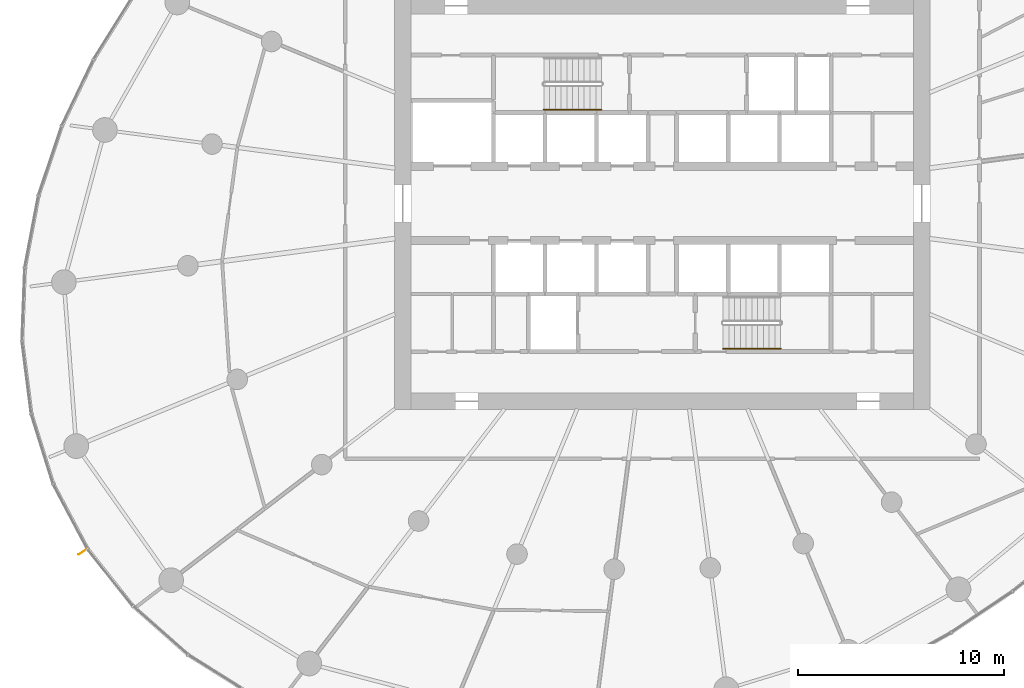
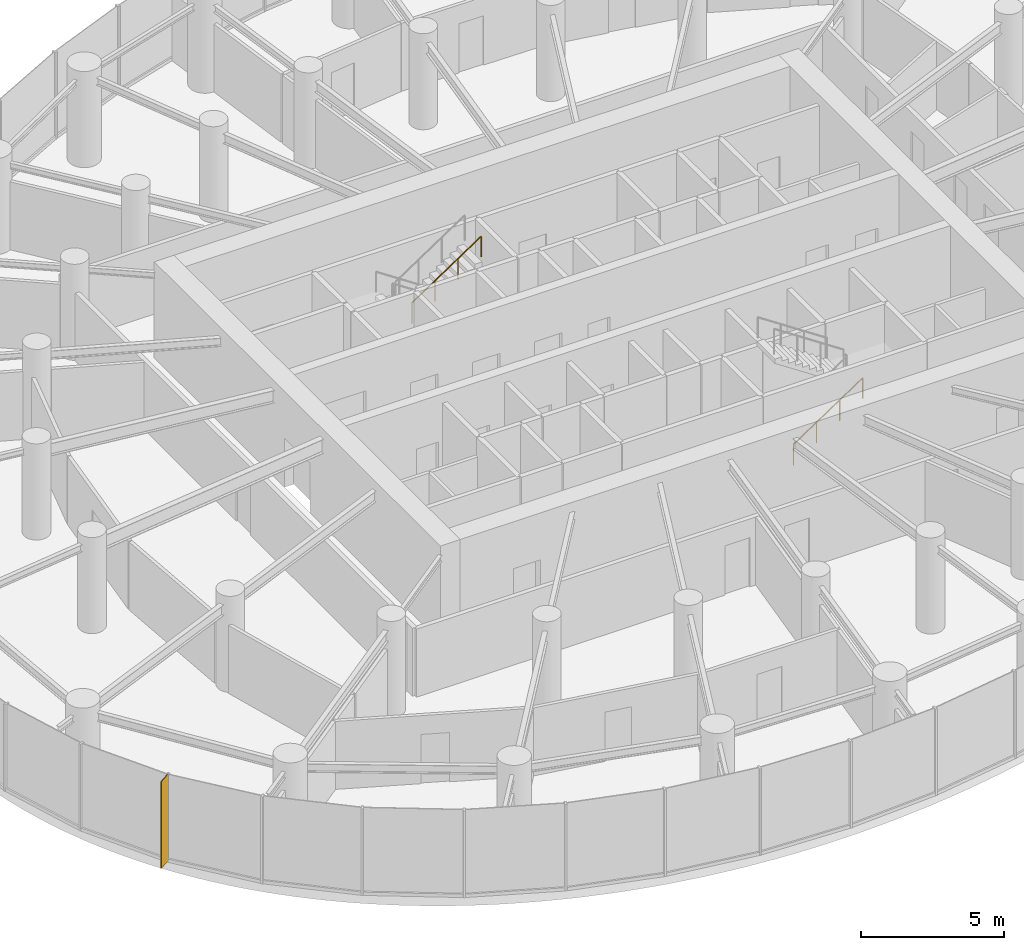
# One storey, part 15 of 17: 2 railings, 1 shading device.
"""IFC4 building model written with IfcOpenShell, lengths in metres."""

from ifc_helpers import new_model, si_unit, direction, frame, origin, origin_2d, place, context, subcontext, project, spatial, rectangle, circle, extrude, source, transform, mapped, material, material_profile, profile_set, type_object, element, save


model = new_model("IFC4")

# Units and contexts
model_context = context("Model", 3, precision=1e-05, world=origin(), true_north=direction((0.0, 1.0)))
body_context = subcontext(model_context, "Body", "Model", "MODEL_VIEW")
ifc_project = project(units=[si_unit("LENGTHUNIT", "METRE"), si_unit("AREAUNIT", "SQUARE_METRE"), si_unit("VOLUMEUNIT", "CUBIC_METRE"), si_unit("PLANEANGLEUNIT", "RADIAN"), si_unit("MASSUNIT", "GRAM", prefix="KILO")], contexts=[model_context])

# Site, building, storey
site_placement = place(None, origin())
site = spatial("IfcSite", under=ifc_project, at=site_placement, CompositionType="ELEMENT")
building_placement = place(site_placement, origin())
building = spatial("IfcBuilding", under=site, at=building_placement, Name="Spindrift Exchange Tower", CompositionType="ELEMENT")
storey_placement = place(building_placement, frame((0.0, 0.0, 112.60009765625)))
storey = spatial("IfcBuildingStorey", under=building, at=storey_placement, Name="L26", CompositionType="ELEMENT", Elevation=112.60009765625)

# Railings
ifc_material_1 = material(Name="Steel tubular handrail", Category="steel")
railing_type = type_object("IfcRailingType", Name="RL-STAIR-HAND", PredefinedType="HANDRAIL", material=ifc_material_1)
for number, where, name in (
    (1, (46.25, 52.550048828125, 2.236328125), "L26 ST1 stair handrail 2"),
    (2, (54.949951171875, 40.949951171875, 0.186279296875), "L26 ST2 stair handrail 1"),
):
    element("IfcRailing", number, at=place(storey_placement, frame(where)), inside=storey, type_object=railing_type, Name=name, PredefinedType="HANDRAIL", context=body_context, shape_type="SweptSolid", body=[
        extrude(circle(Radius=0.02392578125, at=origin_2d()), frame((0.0, 0.0, 0.8759765625), z_axis=(0.832485552168, 0.0, 0.554046753832), x_axis=(0.0, 1.0, 0.0)), (0.0, 0.0, 1.0), 3.363525390625),
        extrude(circle(Radius=0.02099609375, at=origin_2d()), origin(), (0.0, 0.0, 1.0), 0.851806640625),
        extrude(circle(Radius=0.02099609375, at=origin_2d()), frame((0.933349609375, 0.0, 0.62109375)), (0.0, 0.0, 1.0), 0.851806640625),
        extrude(circle(Radius=0.02099609375, at=origin_2d()), frame((1.86669921875, 0.0, 1.242431640625)), (0.0, 0.0, 1.0), 0.851806640625),
        extrude(circle(Radius=0.02099609375, at=origin_2d()), frame((2.800048828125, 0.0, 1.863525390625)), (0.0, 0.0, 1.0), 0.851806640625),
    ])

# Shading device
ifc_material_2 = material(Name="Bronze anodised aluminium", Category="aluminium")
ifc_material_profile = material_profile(ifc_material_2, rectangle(XDim=0.030029296875, YDim=0.550048828125, at=origin_2d()), Name="WIND FIN 30X550")
ifc_profile_set = profile_set([ifc_material_profile], Name="Bronze anodised aluminium")
shading_device_type = type_object("IfcShadingDeviceType", Name="WIND FIN 30X550", PredefinedType="USERDEFINED", material=ifc_profile_set)
shared_shape = source(origin(), body_context, "Body", "SweptSolid", [
    extrude(rectangle(XDim=0.030029296875, YDim=0.550048828125, at=origin_2d()), origin(), (0.0, 0.0, 1.0), 3.699951171875),
])
shading_device_placement = place(storey_placement, frame((23.8818359375, 31.094970703125, 0.0), z_axis=(0.0, 0.0, 1.0), x_axis=(0.546353416741, -0.837554740907, 0.0)))
element("IfcShadingDevice", 3, at=shading_device_placement, inside=storey, type_object=shading_device_type, Name="L26 wind fin 1", ObjectType="FIN", PredefinedType="USERDEFINED", context=body_context, shape_type="MappedRepresentation", body=[
    mapped(shared_shape, transform((0.0, 0.0, 0.0), scale=1.0)),
])

save(model, "model.ifc")
